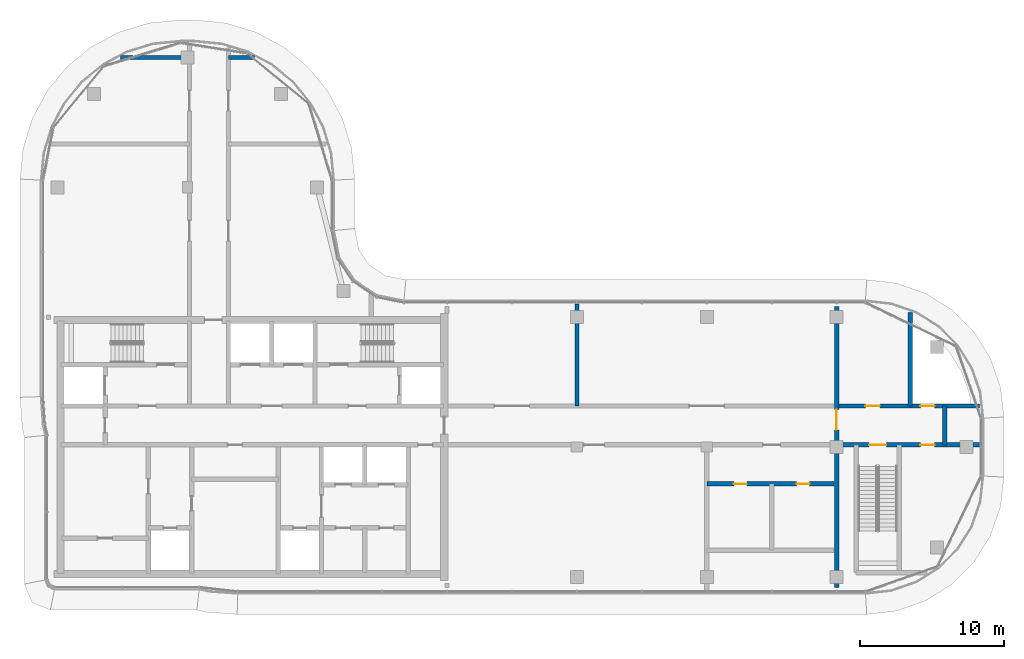
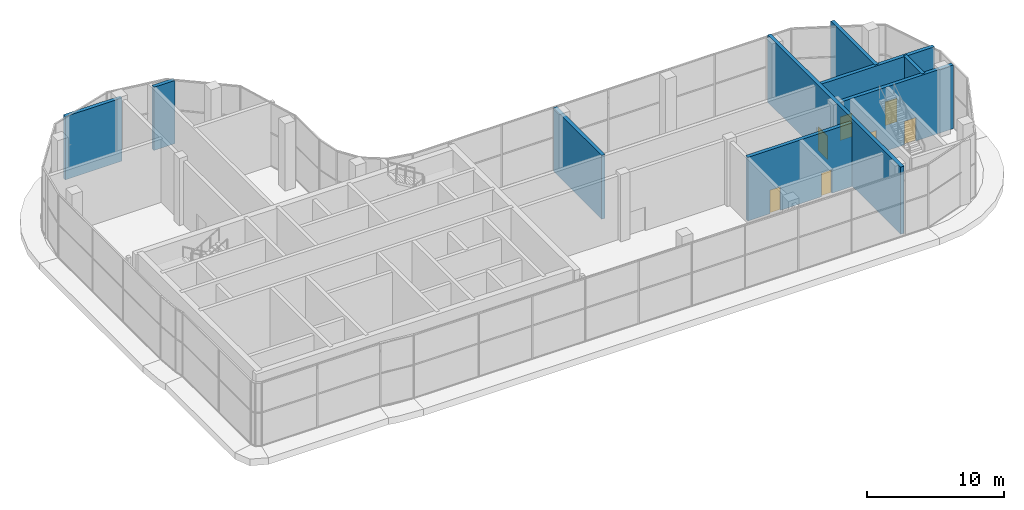
# One storey, part 16 of 23: 9 walls, 7 doors, 7 openings.
"""IFC4 building model written with IfcOpenShell, lengths in metres."""

from ifc_helpers import new_model, si_unit, direction, frame, frame_2d, origin, place, context, subcontext, project, spatial, rectangle, extrude, material, layer, layer_set, type_object, element, fill, save


model = new_model("IFC4")

# Units and contexts
model_context = context("Model", 3, precision=1e-05, world=origin(), true_north=direction((0.0, 1.0)))
body_context = subcontext(model_context, "Body", "Model", "MODEL_VIEW")
ifc_project = project(units=[si_unit("LENGTHUNIT", "METRE"), si_unit("AREAUNIT", "SQUARE_METRE"), si_unit("VOLUMEUNIT", "CUBIC_METRE"), si_unit("PLANEANGLEUNIT", "RADIAN"), si_unit("MASSUNIT", "GRAM", prefix="KILO")], contexts=[model_context])

# Site, building, storey
site_placement = place(None, origin())
site = spatial("IfcSite", under=ifc_project, at=site_placement, CompositionType="ELEMENT")
building_placement = place(site_placement, origin())
building = spatial("IfcBuilding", under=site, at=building_placement, Name="Ogive Portal Towers", CompositionType="ELEMENT")
storey_placement = place(building_placement, frame((0.0, 0.0, 260.89990234375)))
storey = spatial("IfcBuildingStorey", under=building, at=storey_placement, Name="L64", CompositionType="ELEMENT", Elevation=260.89990234375)

# Wall, opening, door
ifc_material_1 = material(Name="Concrete C60/75", Category="concrete")
ifc_layer_1 = layer(ifc_material_1, 0.300048828125)
ifc_layer_set_1 = layer_set([ifc_layer_1], Name="REVEAL WALL 300 C60")
wall_type_1 = type_object("IfcWallType", Name="REVEAL WALL 300 C60", PredefinedType="SHEAR", material=ifc_layer_set_1)
wall_1_placement = place(storey_placement, frame((85.5, 20.75, 0.0), z_axis=(0.0, 0.0, 1.0), x_axis=(0.0, 1.0, 0.0)))
wall_1 = element("IfcWall", 1, at=wall_1_placement, inside=storey, type_object=wall_type_1, Name="Portal reveal wall L64", PredefinedType="SHEAR", context=body_context, shape_type="SweptSolid", body=[
    extrude(rectangle(XDim=19.5, YDim=0.300048828125, at=frame_2d((9.75, 0.0))), origin(), (0.0, 0.0, 1.0), 6.0),
])
opening_1_placement = place(wall_1_placement, frame((10.949951171875, 0.0, 0.0)))
opening_1 = element("IfcOpeningElement", 2, at=opening_1_placement, cuts=wall_1, Name="Opening D30-039", PredefinedType="OPENING", context=body_context, shape_type="SweptSolid", body=[
    extrude(rectangle(XDim=1.39990234375, YDim=2.10009765625, at=frame_2d((0.699951171875, 1.050048828125))), frame((0.0, 0.16015625, 0.0), z_axis=(0.0, -1.0, 0.0), x_axis=(1.0, 0.0, 0.0)), (0.0, 0.0, 1.0), 0.320068359375),
])
ifc_material_2 = material(Name="Steel fire door", Category="steel")
door_type_1 = type_object("IfcDoorType", Name="DT-STAIR-1400x2100-FD90S", OperationType="SINGLE_SWING_LEFT", PredefinedType="DOOR", material=ifc_material_2)
door_1_placement = place(opening_1_placement, origin())
door_1 = element("IfcDoor", 3, at=door_1_placement, inside=storey, type_object=door_type_1, Name="Door D30-039", OperationType="SINGLE_SWING_RIGHT", OverallHeight=2.10009765625, OverallWidth=1.39990234375, PredefinedType="DOOR", context=body_context, shape_type="SweptSolid", body=[
    extrude(rectangle(XDim=1.39990234375, YDim=2.10009765625, at=frame_2d((0.699951171875, 1.050048828125))), frame((0.0, 0.02490234375, 0.0), z_axis=(0.0, -1.0, 0.0), x_axis=(1.0, 0.0, 0.0)), (0.0, 0.0, 1.0), 0.050048828125),
])
fill(opening_1, door_1)

# Wall, openings, doors
ifc_material_3 = material(Name="Concrete C50/60", Category="concrete")
ifc_layer_2 = layer(ifc_material_3, 0.300048828125)
ifc_layer_set_2 = layer_set([ifc_layer_2], Name="STAIR WALL 300 C50")
wall_type_2 = type_object("IfcWallType", Name="STAIR WALL 300 C50", PredefinedType="SHEAR", material=ifc_layer_set_2)
wall_2_placement = place(storey_placement, frame((85.669921875, 30.64990234375, 0.0), z_axis=(0.0, 0.0, 1.0), x_axis=(1.0, 0.0, 0.0)))
wall_2 = element("IfcWall", 4, at=wall_2_placement, inside=storey, type_object=wall_type_2, Name="Stair wall ST-A4 L64", PredefinedType="SHEAR", context=body_context, shape_type="SweptSolid", body=[
    extrude(rectangle(XDim=9.760009765625, YDim=0.300048828125, at=frame_2d((4.8798828125, 0.0))), origin(), (0.0, 0.0, 1.0), 5.7001953125),
])
opening_2_placement = place(wall_2_placement, frame((2.080078125, 0.0, 0.0)))
opening_2 = element("IfcOpeningElement", 5, at=opening_2_placement, cuts=wall_2, Name="Opening D30-035", PredefinedType="OPENING", context=body_context, shape_type="SweptSolid", body=[
    extrude(rectangle(XDim=1.199951171875, YDim=2.10009765625, at=frame_2d((0.60009765625, 1.050048828125))), frame((0.0, 0.16015625, 0.0), z_axis=(0.0, -1.0, 0.0), x_axis=(1.0, 0.0, 0.0)), (0.0, 0.0, 1.0), 0.320068359375),
])
opening_3_placement = place(wall_2_placement, frame((5.6298828125, 0.0, 0.0)))
opening_3 = element("IfcOpeningElement", 6, at=opening_3_placement, cuts=wall_2, Name="Opening D30-038", PredefinedType="OPENING", context=body_context, shape_type="SweptSolid", body=[
    extrude(rectangle(XDim=1.0, YDim=2.10009765625, at=frame_2d((0.5, 1.050048828125))), frame((0.0, 0.16015625, 0.0), z_axis=(0.0, -1.0, 0.0), x_axis=(1.0, 0.0, 0.0)), (0.0, 0.0, 1.0), 0.320068359375),
])
door_type_2 = type_object("IfcDoorType", Name="DT-SERVICE-1000x2100-FD90S", OperationType="SINGLE_SWING_LEFT", PredefinedType="DOOR", material=ifc_material_2)
door_2_placement = place(opening_3_placement, origin())
door_2 = element("IfcDoor", 7, at=door_2_placement, inside=storey, type_object=door_type_2, Name="Door D30-038", OperationType="SINGLE_SWING_LEFT", OverallHeight=2.10009765625, OverallWidth=1.0, PredefinedType="DOOR", context=body_context, shape_type="SweptSolid", body=[
    extrude(rectangle(XDim=1.0, YDim=2.10009765625, at=frame_2d((0.5, 1.050048828125))), frame((0.0, 0.02490234375, 0.0), z_axis=(0.0, -1.0, 0.0), x_axis=(1.0, 0.0, 0.0)), (0.0, 0.0, 1.0), 0.050048828125),
])
fill(opening_3, door_2)
door_type_3 = type_object("IfcDoorType", Name="DT-STAIR-1200x2100-FD90S", OperationType="SINGLE_SWING_LEFT", PredefinedType="DOOR", material=ifc_material_2)
door_3_placement = place(opening_2_placement, origin())
door_3 = element("IfcDoor", 8, at=door_3_placement, inside=storey, type_object=door_type_3, Name="Door D30-035", OperationType="SINGLE_SWING_LEFT", OverallHeight=2.10009765625, OverallWidth=1.199951171875, PredefinedType="DOOR", context=body_context, shape_type="SweptSolid", body=[
    extrude(rectangle(XDim=1.199951171875, YDim=2.10009765625, at=frame_2d((0.60009765625, 1.050048828125))), frame((0.0, 0.02490234375, 0.0), z_axis=(0.0, -1.0, 0.0), x_axis=(1.0, 0.0, 0.0)), (0.0, 0.0, 1.0), 0.050048828125),
])
fill(opening_2, door_3)

ifc_material_4 = material(Name="Gypsum board partition on steel studs", Category="steel")
ifc_layer_3 = layer(ifc_material_4, 0.300048828125)
ifc_layer_set_3 = layer_set([ifc_layer_3], Name="WT-PART-300-EI 120")
wall_type_3 = type_object("IfcWallType", Name="WT-PART-300-EI 120", PredefinedType="PARTITIONING", material=ifc_layer_set_3)
wall_3_placement = place(storey_placement, frame((85.669921875, 33.35009765625, 0.0), z_axis=(0.0, 0.0, 1.0), x_axis=(1.0, 0.0, 0.0)))
wall_3 = element("IfcWall", 9, at=wall_3_placement, inside=storey, type_object=wall_type_3, Name="Wall L64:w007", PredefinedType="PARTITIONING", context=body_context, shape_type="SweptSolid", body=[
    extrude(rectangle(XDim=9.72412109375, YDim=0.300048828125, at=frame_2d((4.862060546875, 0.0))), origin(), (0.0, 0.0, 1.0), 5.7001953125),
])
opening_4_placement = place(wall_3_placement, frame((1.830078125, 0.0, 0.0)))
opening_4 = element("IfcOpeningElement", 10, at=opening_4_placement, cuts=wall_3, Name="Opening D30-036", PredefinedType="OPENING", context=body_context, shape_type="SweptSolid", body=[
    extrude(rectangle(XDim=1.0, YDim=2.10009765625, at=frame_2d((0.5, 1.050048828125))), frame((0.0, 0.16015625, 0.0), z_axis=(0.0, -1.0, 0.0), x_axis=(1.0, 0.0, 0.0)), (0.0, 0.0, 1.0), 0.320068359375),
])
opening_5_placement = place(wall_3_placement, frame((5.6298828125, 0.0, 0.0)))
opening_5 = element("IfcOpeningElement", 11, at=opening_5_placement, cuts=wall_3, Name="Opening D30-037", PredefinedType="OPENING", context=body_context, shape_type="SweptSolid", body=[
    extrude(rectangle(XDim=1.0, YDim=2.10009765625, at=frame_2d((0.5, 1.050048828125))), frame((0.0, 0.16015625, 0.0), z_axis=(0.0, -1.0, 0.0), x_axis=(1.0, 0.0, 0.0)), (0.0, 0.0, 1.0), 0.320068359375),
])
door_4_placement = place(opening_4_placement, origin())
door_4 = element("IfcDoor", 12, at=door_4_placement, inside=storey, type_object=door_type_2, Name="Door D30-036", OperationType="SINGLE_SWING_LEFT", OverallHeight=2.10009765625, OverallWidth=1.0, PredefinedType="DOOR", context=body_context, shape_type="SweptSolid", body=[
    extrude(rectangle(XDim=1.0, YDim=2.10009765625, at=frame_2d((0.5, 1.050048828125))), frame((0.0, 0.02490234375, 0.0), z_axis=(0.0, -1.0, 0.0), x_axis=(1.0, 0.0, 0.0)), (0.0, 0.0, 1.0), 0.050048828125),
])
fill(opening_4, door_4)
door_5_placement = place(opening_5_placement, origin())
door_5 = element("IfcDoor", 13, at=door_5_placement, inside=storey, type_object=door_type_2, Name="Riser access door D30-037", OperationType="SINGLE_SWING_RIGHT", OverallHeight=2.10009765625, OverallWidth=1.0, PredefinedType="DOOR", context=body_context, shape_type="SweptSolid", body=[
    extrude(rectangle(XDim=1.0, YDim=2.10009765625, at=frame_2d((0.5, 1.050048828125))), frame((0.0, 0.02490234375, 0.0), z_axis=(0.0, -1.0, 0.0), x_axis=(1.0, 0.0, 0.0)), (0.0, 0.0, 1.0), 0.050048828125),
])
fill(opening_5, door_5)

# Wall
wall_4_placement = place(storey_placement, frame((93.0, 30.64990234375, 0.0), z_axis=(0.0, 0.0, 1.0), x_axis=(0.0, 1.0, 0.0)))
element("IfcWall", 14, at=wall_4_placement, inside=storey, type_object=wall_type_3, Name="Wall L64:w024", PredefinedType="PARTITIONING", context=body_context, shape_type="SweptSolid", body=[
    extrude(rectangle(XDim=2.7001953125, YDim=0.300048828125, at=frame_2d((1.35009765625, 0.0))), origin(), (0.0, 0.0, 1.0), 5.7001953125),
])

# Wall, openings, doors
ifc_layer_4 = layer(ifc_material_4, 0.300048828125)
ifc_layer_set_4 = layer_set([ifc_layer_4], Name="WT-PART-300-EI 60")
wall_type_4 = type_object("IfcWallType", Name="WT-PART-300-EI 60", PredefinedType="PARTITIONING", material=ifc_layer_set_4)
wall_5_placement = place(storey_placement, frame((76.5, 27.949951171875, 0.0), z_axis=(0.0, 0.0, 1.0), x_axis=(1.0, 0.0, 0.0)))
wall_5 = element("IfcWall", 15, at=wall_5_placement, inside=storey, type_object=wall_type_4, Name="Wall L64:w003", PredefinedType="PARTITIONING", context=body_context, shape_type="SweptSolid", body=[
    extrude(rectangle(XDim=8.830078125, YDim=0.300048828125, at=frame_2d((4.4150390625, 0.0))), origin(), (0.0, 0.0, 1.0), 5.7001953125),
])
opening_6_placement = place(wall_5_placement, frame((1.875, 0.0, 0.0)))
opening_6 = element("IfcOpeningElement", 16, at=opening_6_placement, cuts=wall_5, Name="Opening D30-029", PredefinedType="OPENING", context=body_context, shape_type="SweptSolid", body=[
    extrude(rectangle(XDim=0.89990234375, YDim=2.10009765625, at=frame_2d((0.449951171875, 1.050048828125))), frame((0.0, 0.16015625, 0.0), z_axis=(0.0, -1.0, 0.0), x_axis=(1.0, 0.0, 0.0)), (0.0, 0.0, 1.0), 0.320068359375),
])
opening_7_placement = place(wall_5_placement, frame((6.22509765625, 0.0, 0.0)))
opening_7 = element("IfcOpeningElement", 17, at=opening_7_placement, cuts=wall_5, Name="Opening D30-030", PredefinedType="OPENING", context=body_context, shape_type="SweptSolid", body=[
    extrude(rectangle(XDim=0.89990234375, YDim=2.10009765625, at=frame_2d((0.449951171875, 1.050048828125))), frame((0.0, 0.16015625, 0.0), z_axis=(0.0, -1.0, 0.0), x_axis=(1.0, 0.0, 0.0)), (0.0, 0.0, 1.0), 0.320068359375),
])
door_type_4 = type_object("IfcDoorType", Name="DT-BATH-900x2100-FD60S", OperationType="SINGLE_SWING_LEFT", PredefinedType="DOOR", material=ifc_material_2)
door_6_placement = place(opening_6_placement, origin())
door_6 = element("IfcDoor", 18, at=door_6_placement, inside=storey, type_object=door_type_4, Name="Door D30-029", OperationType="SINGLE_SWING_LEFT", OverallHeight=2.10009765625, OverallWidth=0.89990234375, PredefinedType="DOOR", context=body_context, shape_type="SweptSolid", body=[
    extrude(rectangle(XDim=0.89990234375, YDim=2.10009765625, at=frame_2d((0.449951171875, 1.050048828125))), frame((0.0, 0.02490234375, 0.0), z_axis=(0.0, -1.0, 0.0), x_axis=(1.0, 0.0, 0.0)), (0.0, 0.0, 1.0), 0.050048828125),
])
fill(opening_6, door_6)
door_7_placement = place(opening_7_placement, origin())
door_7 = element("IfcDoor", 19, at=door_7_placement, inside=storey, type_object=door_type_4, Name="Door D30-030", OperationType="SINGLE_SWING_RIGHT", OverallHeight=2.10009765625, OverallWidth=0.89990234375, PredefinedType="DOOR", context=body_context, shape_type="SweptSolid", body=[
    extrude(rectangle(XDim=0.89990234375, YDim=2.10009765625, at=frame_2d((0.449951171875, 1.050048828125))), frame((0.0, 0.02490234375, 0.0), z_axis=(0.0, -1.0, 0.0), x_axis=(1.0, 0.0, 0.0)), (0.0, 0.0, 1.0), 0.050048828125),
])
fill(opening_7, door_7)

# Walls
wall_6_placement = place(storey_placement, frame((35.85791015625, 57.5, 0.0), z_axis=(0.0, 0.0, 1.0), x_axis=(1.0, 0.0, 0.0)))
element("IfcWall", 20, at=wall_6_placement, inside=storey, type_object=wall_type_4, Name="Wall L64:w011", PredefinedType="PARTITIONING", context=body_context, shape_type="SweptSolid", body=[
    extrude(rectangle(XDim=4.7919921875, YDim=0.300048828125, at=frame_2d((2.39599609375, 0.0))), origin(), (0.0, 0.0, 1.0), 5.650146484375),
])
wall_7_placement = place(storey_placement, frame((43.35009765625, 57.5, 0.0), z_axis=(0.0, 0.0, 1.0), x_axis=(1.0, 0.0, 0.0)))
element("IfcWall", 21, at=wall_7_placement, inside=storey, type_object=wall_type_4, Name="Wall L64:w012", PredefinedType="PARTITIONING", context=body_context, shape_type="SweptSolid", body=[
    extrude(rectangle(XDim=1.7919921875, YDim=0.300048828125, at=frame_2d((0.89599609375, 0.0))), origin(), (0.0, 0.0, 1.0), 5.650146484375),
])
wall_8_placement = place(storey_placement, frame((67.5, 33.35009765625, 0.0), z_axis=(0.0, 0.0, 1.0), x_axis=(0.0, 1.0, 0.0)))
element("IfcWall", 22, at=wall_8_placement, inside=storey, type_object=wall_type_4, Name="Wall L64:w018", PredefinedType="PARTITIONING", context=body_context, shape_type="SweptSolid", body=[
    extrude(rectangle(XDim=7.079833984375, YDim=0.300048828125, at=frame_2d((3.5400390625, 0.0))), origin(), (0.0, 0.0, 1.0), 5.7001953125),
])
wall_9_placement = place(storey_placement, frame((90.60009765625, 33.35009765625, 0.0), z_axis=(0.0, 0.0, 1.0), x_axis=(0.0, 1.0, 0.0)))
element("IfcWall", 23, at=wall_9_placement, inside=storey, type_object=wall_type_4, Name="Wall L64:w023", PredefinedType="PARTITIONING", context=body_context, shape_type="SweptSolid", body=[
    extrude(rectangle(XDim=6.476806640625, YDim=0.300048828125, at=frame_2d((3.23828125, 0.0))), origin(), (0.0, 0.0, 1.0), 5.7001953125),
])

save(model, "model.ifc")
